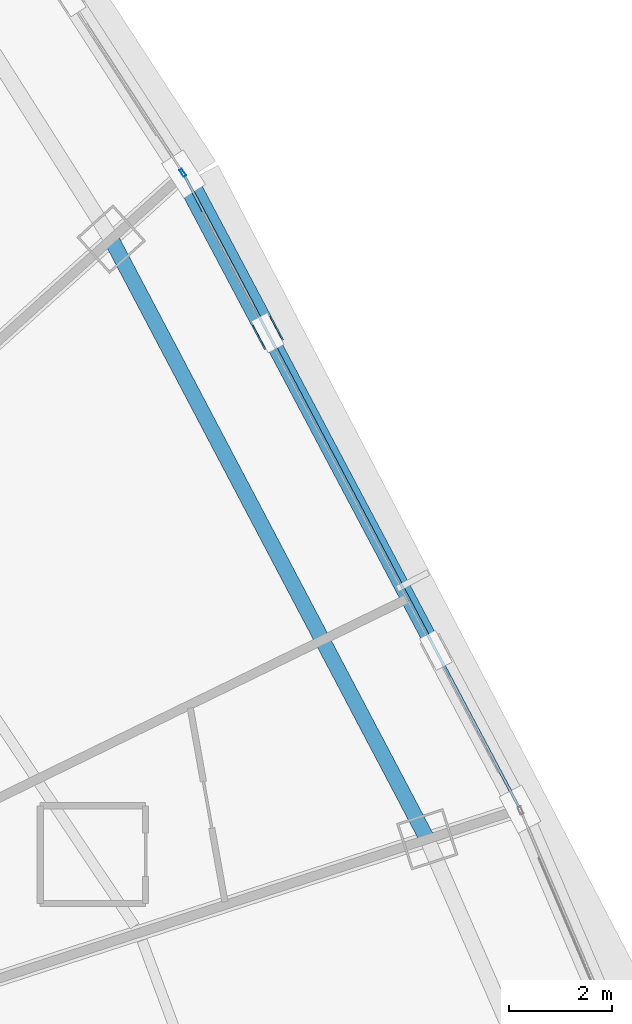
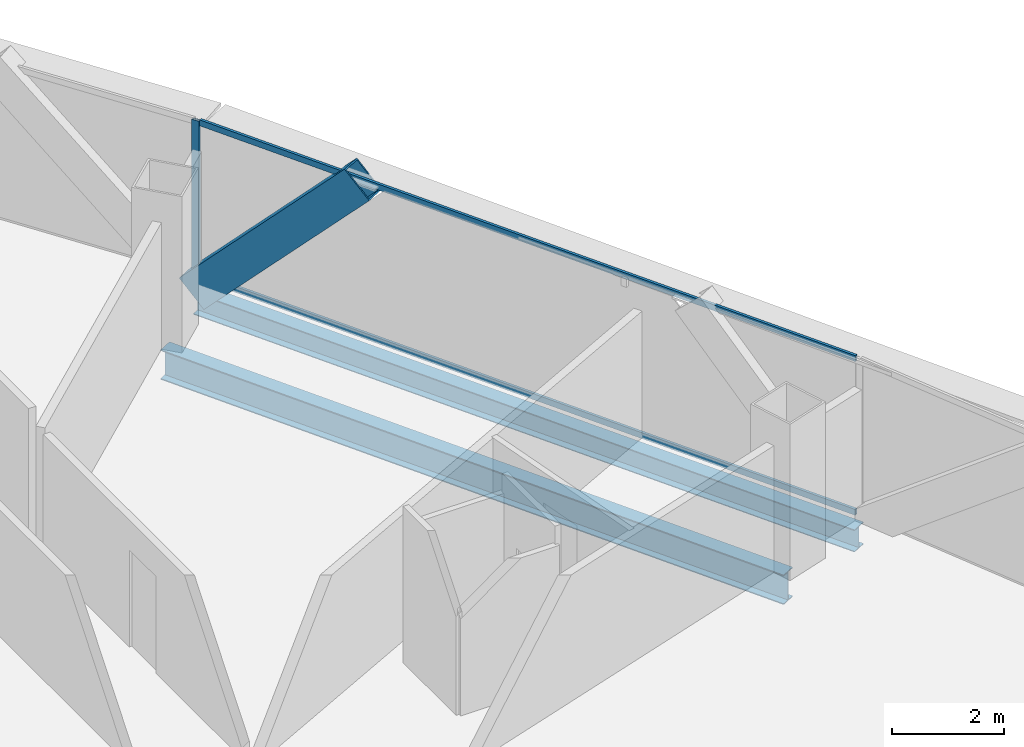
# One storey, part 27 of 42: 4 members, 2 beams, 2 elements without a shape of their own.
"""IFC4 building model written with IfcOpenShell, lengths in metres."""

from ifc_helpers import new_model, si_unit, direction, frame, origin, origin_2d, place, context, subcontext, project, spatial, hollow_rectangle, i_section, extrude, source, transform, mapped, material, layer, layer_set, material_profile, profile_set, type_object, element, aggregate, save


model = new_model("IFC4")

# Units and contexts
model_context = context("Model", 3, precision=1e-05, world=origin(), true_north=direction((0.0, 1.0)))
body_context = subcontext(model_context, "Body", "Model", "MODEL_VIEW")
ifc_project = project(units=[si_unit("LENGTHUNIT", "METRE"), si_unit("AREAUNIT", "SQUARE_METRE"), si_unit("VOLUMEUNIT", "CUBIC_METRE"), si_unit("PLANEANGLEUNIT", "RADIAN"), si_unit("MASSUNIT", "GRAM", prefix="KILO"), si_unit("THERMODYNAMICTEMPERATUREUNIT", "KELVIN"), si_unit("POWERUNIT", "WATT")], contexts=[model_context])

# Site, building, storey
site_placement = place(None, origin())
site = spatial("IfcSite", under=ifc_project, at=site_placement, CompositionType="ELEMENT")
building_placement = place(site_placement, origin())
building = spatial("IfcBuilding", under=site, at=building_placement, Name="Yunzhuo Pagoda Commons", CompositionType="ELEMENT")
storey_placement = place(building_placement, frame((0.0, 0.0, 129.830078125)))
storey = spatial("IfcBuildingStorey", under=building, at=storey_placement, Name="L32", CompositionType="ELEMENT", Elevation=129.830078125)

# Beams
ifc_material_1 = material(Name="Structural steel Q355B", Category="steel")
ifc_material_profile_1 = material_profile(ifc_material_1, i_section(OverallWidth=0.300048828125, OverallDepth=0.488037109375, WebThickness=0.010986328125, FlangeThickness=0.01806640625, at=origin_2d()), Name="Structural steel Q355B")
ifc_profile_set_1 = profile_set([ifc_material_profile_1], Name="Structural steel Q355B")
beam_type_1 = type_object("IfcBeamType", Name="B-SP1 Beam HM 488x300x11x18", PredefinedType="BEAM", material=ifc_profile_set_1)
shared_shape_1 = source(origin(), body_context, "Body", "SweptSolid", [
    extrude(i_section(OverallWidth=0.300048828125, OverallDepth=0.488037109375, WebThickness=0.010986328125, FlangeThickness=0.01806640625, at=origin_2d()), origin(), (0.0, 0.0, 1.0), 13.98681640625),
])
beam_1_placement = place(storey_placement, frame((79.720458984375, 44.006591796875, -0.504150390625), z_axis=(-0.468057733589, 0.883697888437, 0.0), x_axis=(-0.883697888437, -0.468057733589, 0.0)))
element("IfcBeam", 1, at=beam_1_placement, inside=storey, type_object=beam_type_1, Name="L32 facade edge spandrel beam F2.2", PredefinedType="BEAM", context=body_context, shape_type="MappedRepresentation", body=[
    mapped(shared_shape_1, transform((0.0, 0.0, 0.0), scale=1.0)),
])
ifc_material_profile_2 = material_profile(ifc_material_1, i_section(OverallWidth=0.300048828125, OverallDepth=0.64990234375, WebThickness=0.012939453125, FlangeThickness=0.02197265625, at=origin_2d()), Name="Structural steel Q355B")
ifc_profile_set_2 = profile_set([ifc_material_profile_2], Name="Structural steel Q355B")
beam_type_2 = type_object("IfcBeamType", Name="B-RG2 Beam HN 650x300x13x22", PredefinedType="BEAM", material=ifc_profile_set_2)
shared_shape_2 = source(origin(), body_context, "Body", "SweptSolid", [
    extrude(i_section(OverallWidth=0.300048828125, OverallDepth=0.64990234375, WebThickness=0.012939453125, FlangeThickness=0.02197265625, at=origin_2d()), origin(), (0.0, 0.0, 1.0), 13.198974609375),
])
beam_2_placement = place(storey_placement, frame((77.915283203125, 43.420166015625, -0.5849609375), z_axis=(-0.465885937554, 0.884844784801, 0.0), x_axis=(-0.884844784801, -0.465885937554, 0.0)))
element("IfcBeam", 2, at=beam_2_placement, inside=storey, type_object=beam_type_2, Name="L32 column-ring beam 6", PredefinedType="BEAM", context=body_context, shape_type="MappedRepresentation", body=[
    mapped(shared_shape_2, transform((0.0, 0.0, 0.0), scale=1.0)),
])

# Member
ifc_material_2 = material(Name="Structural steel Q420B", Category="steel")
ifc_material_profile_3 = material_profile(ifc_material_2, hollow_rectangle(XDim=0.419921875, YDim=0.719970703125, WallThickness=0.028076171875, at=origin_2d()), Name="Structural steel Q420B")
ifc_profile_set_3 = profile_set([ifc_material_profile_3], Name="Structural steel Q420B")
member_type_1 = type_object("IfcMemberType", Name="M-DL1 Brace BOX 720x420x28", PredefinedType="BRACE", material=ifc_profile_set_3)
shared_shape_3 = source(origin(), body_context, "Body", "SweptSolid", [
    extrude(hollow_rectangle(XDim=0.419921875, YDim=0.719970703125, WallThickness=0.028076171875, at=origin_2d()), origin(), (0.0, 0.0, 1.0), 5.076416015625),
])
member_1_placement = place(storey_placement, frame((73.173828125, 56.36669921875, -0.260009765625), z_axis=(0.322420021566, -0.608721690477, 0.724916018058), x_axis=(0.883694492721, 0.468064144679, 0.0)))
element("IfcMember", 3, at=member_1_placement, inside=storey, type_object=member_type_1, Name="L32 facade diamond brace F2.2R", PredefinedType="BRACE", context=body_context, shape_type="MappedRepresentation", body=[
    mapped(shared_shape_3, transform((0.0, 0.0, 0.0), scale=1.0)),
])

# Curtain wall, member
ifc_material_3 = material(Name="Anodized aluminium 6063-T6", Category="aluminium")
ifc_layer = layer(ifc_material_3, 0.14990234375)
ifc_layer_set = layer_set([ifc_layer], Name="Anodized aluminium 6063-T6")
curtain_wall_type = type_object("IfcCurtainWallType", Name="CW-MID Mid-Zone Ribbon Curtain Wall", PredefinedType="NOTDEFINED", material=ifc_layer_set)
curtain_wall_1_placement = place(storey_placement, origin())
curtain_wall_1 = element("IfcCurtainWall", 4, at=curtain_wall_1_placement, inside=storey, type_object=curtain_wall_type, Name="L32 curtain wall CW-L32-F2B4", PredefinedType="NOTDEFINED")
ifc_material_profile_4 = material_profile(ifc_material_3, hollow_rectangle(XDim=0.06005859375, YDim=0.14990234375, WallThickness=0.00390625, at=origin_2d()), Name="Anodized aluminium 6063-T6")
ifc_profile_set_4 = profile_set([ifc_material_profile_4], Name="Anodized aluminium 6063-T6")
member_type_2 = type_object("IfcMemberType", Name="CW-MID-M Mullion RHS 150x60x4", PredefinedType="MULLION", material=ifc_profile_set_4)
shared_shape_4 = source(origin(), body_context, "Body", "SweptSolid", [
    extrude(hollow_rectangle(XDim=0.06005859375, YDim=0.14990234375, WallThickness=0.00390625, at=origin_2d()), origin(), (0.0, 0.0, 1.0), 3.419921875),
])
member_2_placement = place(storey_placement, frame((73.157470703125, 56.391845703125, 0.0), z_axis=(0.0, 0.0, 1.0), x_axis=(-0.839249165596, -0.543747034977, 0.0)))
member_2 = element("IfcMember", 5, at=member_2_placement, type_object=member_type_2, Name="CW mullion 1", PredefinedType="MULLION", context=body_context, shape_type="MappedRepresentation", body=[
    mapped(shared_shape_4, transform((0.0, 0.0, 0.0), scale=1.0)),
])
aggregate(curtain_wall_1, [member_2])

# Curtain wall, members
curtain_wall_2_placement = place(storey_placement, origin())
curtain_wall_2 = element("IfcCurtainWall", 6, at=curtain_wall_2_placement, inside=storey, type_object=curtain_wall_type, Name="L32 curtain wall CW-L32-F2B3", PredefinedType="NOTDEFINED")
ifc_material_profile_5 = material_profile(ifc_material_3, hollow_rectangle(XDim=0.054931640625, YDim=0.1298828125, WallThickness=0.00341796875, at=origin_2d()), Name="Anodized aluminium 6063-T6")
ifc_profile_set_5 = profile_set([ifc_material_profile_5], Name="Anodized aluminium 6063-T6")
member_type_3 = type_object("IfcMemberType", Name="CW-MID-T Transom RHS 130x55x3.5", PredefinedType="USERDEFINED", material=ifc_profile_set_5)
shared_shape_5 = source(origin(), body_context, "Body", "SweptSolid", [
    extrude(hollow_rectangle(XDim=0.054931640625, YDim=0.1298828125, WallThickness=0.00341796875, at=origin_2d()), origin(), (0.0, 0.0, 1.0), 13.86669921875),
])
member_3_placement = place(storey_placement, frame((79.6923828125, 44.0595703125, 0.02734375), z_axis=(-0.468063250671, 0.883694966247, 0.0), x_axis=(-0.883694966247, -0.468063250671, 0.0)))
member_3 = element("IfcMember", 7, at=member_3_placement, type_object=member_type_3, Name="CW transom 1.1", ObjectType="TRANSOM", PredefinedType="USERDEFINED", context=body_context, shape_type="MappedRepresentation", body=[
    mapped(shared_shape_5, transform((0.0, 0.0, 0.0), scale=1.0)),
])
member_4_placement = place(storey_placement, frame((79.6923828125, 44.0595703125, 3.392333984375), z_axis=(-0.468063250671, 0.883694966247, 0.0), x_axis=(-0.883694966247, -0.468063250671, 0.0)))
member_4 = element("IfcMember", 8, at=member_4_placement, type_object=member_type_3, Name="CW transom 1.2", ObjectType="TRANSOM", PredefinedType="USERDEFINED", context=body_context, shape_type="MappedRepresentation", body=[
    mapped(shared_shape_5, transform((0.0, 0.0, 0.0), scale=1.0)),
])
aggregate(curtain_wall_2, [member_3, member_4])

save(model, "model.ifc")
